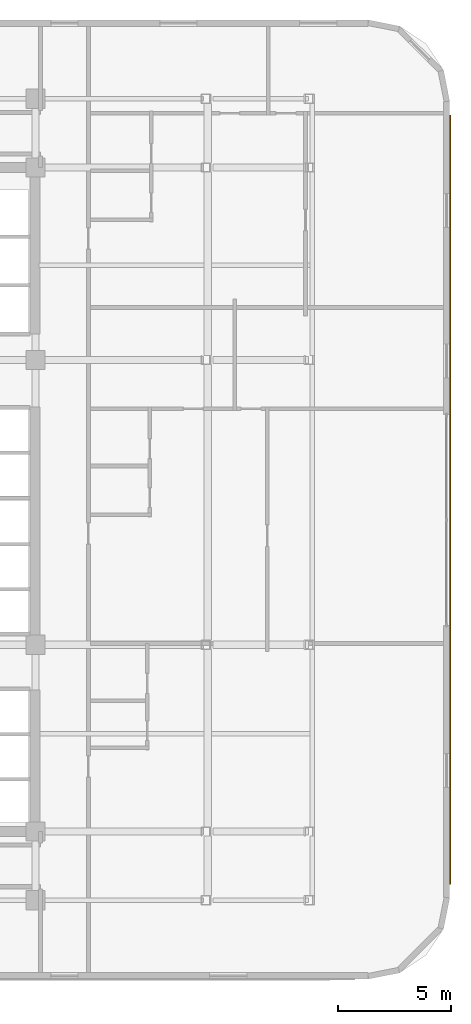
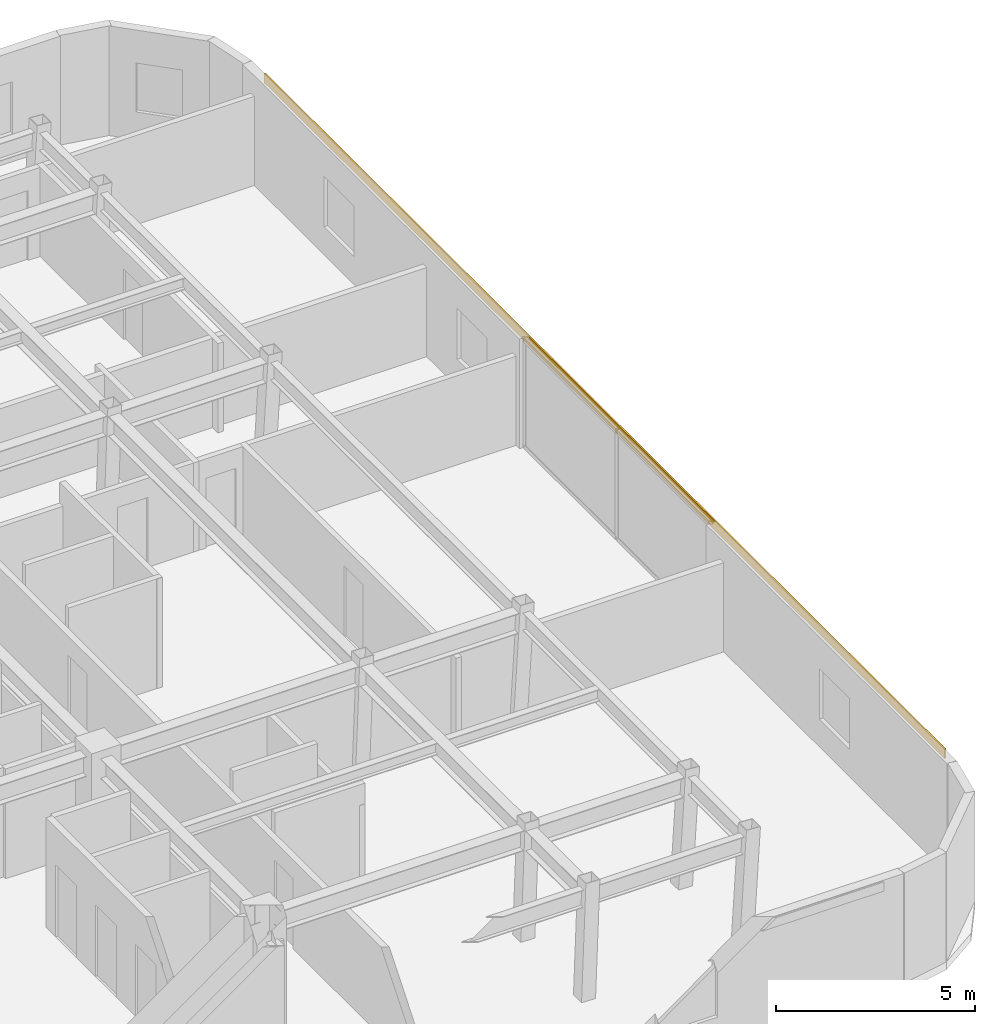
# One storey, part 11 of 12: 1 covering.
"""IFC4 building model written with IfcOpenShell, lengths in metres."""

from ifc_helpers import new_model, si_unit, direction, frame, origin, origin_2d, place, context, subcontext, project, spatial, rectangle, extrude, material, layer, layer_set, type_object, element, save


model = new_model("IFC4")

# Units and contexts
model_context = context("Model", 3, precision=1e-05, world=origin(), true_north=direction((0.0, 1.0)))
body_context = subcontext(model_context, "Body", "Model", "MODEL_VIEW")
ifc_project = project(units=[si_unit("LENGTHUNIT", "METRE"), si_unit("AREAUNIT", "SQUARE_METRE"), si_unit("VOLUMEUNIT", "CUBIC_METRE"), si_unit("PLANEANGLEUNIT", "RADIAN"), si_unit("MASSUNIT", "GRAM", prefix="KILO")], contexts=[model_context])

# Site, building, storey
site_placement = place(None, origin())
site = spatial("IfcSite", under=ifc_project, at=site_placement, CompositionType="ELEMENT")
building_placement = place(site_placement, origin())
building = spatial("IfcBuilding", under=site, at=building_placement, Name="Ochreholt Gables", CompositionType="ELEMENT")
storey_placement = place(building_placement, frame((0.0, 0.0, 80.39990234375)))
storey = spatial("IfcBuildingStorey", under=building, at=storey_placement, Name="L20", CompositionType="ELEMENT", Elevation=80.39990234375)

# Covering
ifc_material = material(Name="Glazed Ochre Terracotta Rainscreen Cladding", Category="masonry")
ifc_layer = layer(ifc_material, 0.044921875, Name="Glazed Ochre Terracotta Rainscreen Cladding")
ifc_layer_set = layer_set([ifc_layer], Name="Glazed Ochre Terracotta Rainscreen Cladding")
covering_type = type_object("IfcCoveringType", Name="COV-CLAD-TC", PredefinedType="CLADDING", material=ifc_layer_set)
covering_placement = place(storey_placement, frame((53.6201171875, 24.0, 3.06005859375), z_axis=(0.0, 0.0, 1.0), x_axis=(0.0, 1.0, 0.0)))
element("IfcCovering", 1, at=covering_placement, inside=storey, type_object=covering_type, Name="L20 Terracotta Spandrel Cladding East", PredefinedType="CLADDING", context=body_context, shape_type="SweptSolid", body=[
    extrude(rectangle(XDim=34.159912109375, YDim=0.044921875, at=origin_2d()), origin(), (0.0, 0.0, 1.0), 0.280029296875),
])

save(model, "model.ifc")
